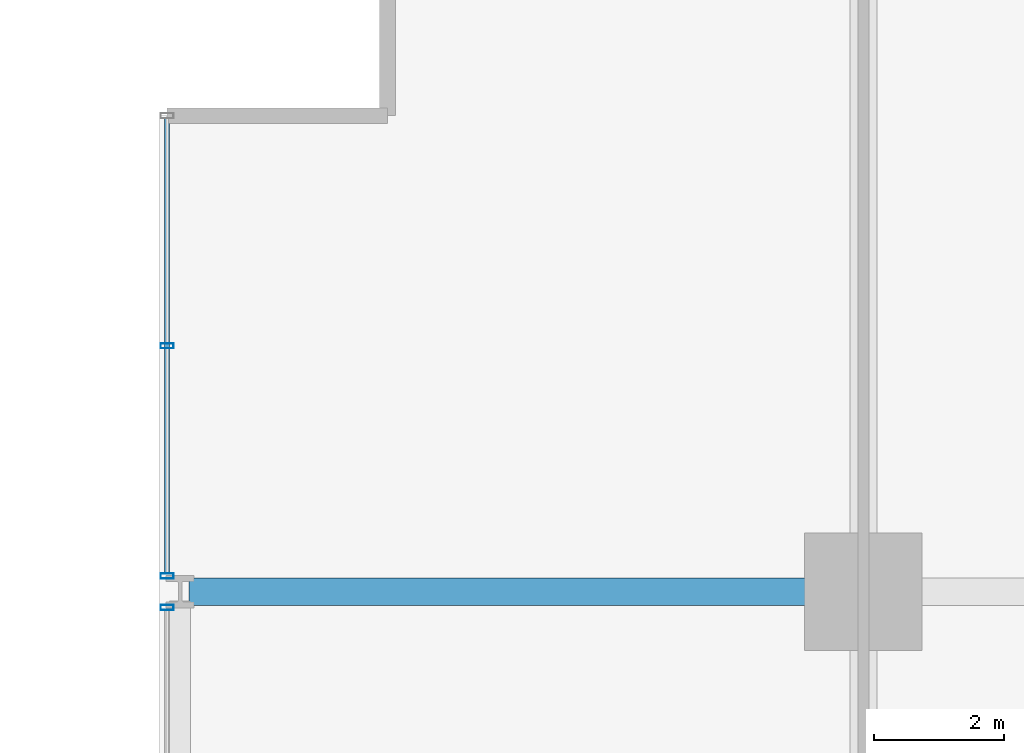
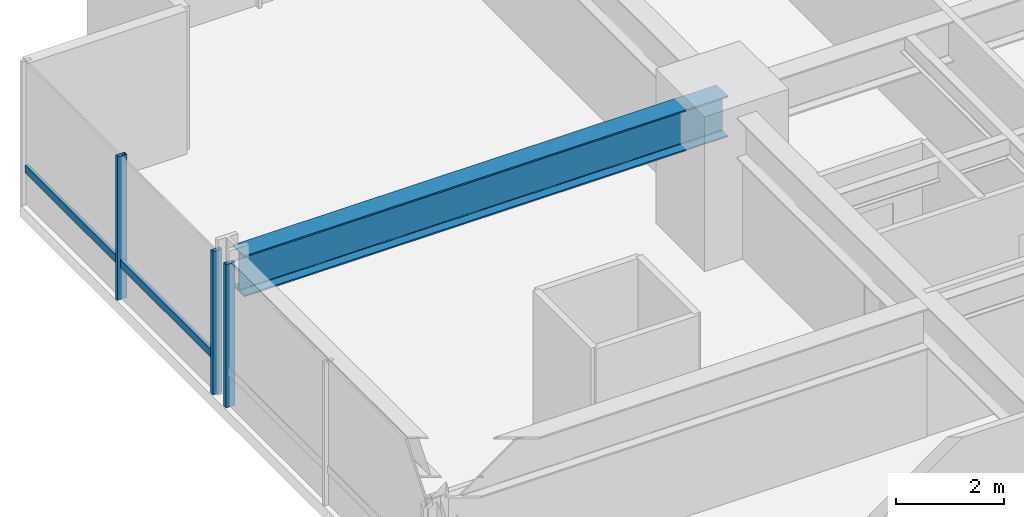
# One storey, part 19 of 39: 4 members, 1 beam, 2 elements without a shape of their own.
"""IFC4 building model written with IfcOpenShell, lengths in metres."""

from ifc_helpers import new_model, si_unit, direction, frame, origin, origin_2d, place, context, subcontext, project, spatial, hollow_rectangle, i_section, extrude, material, layer, layer_set, material_profile, profile_set, type_object, element, aggregate, save


model = new_model("IFC4")

# Units and contexts
model_context = context("Model", 3, precision=1e-05, world=origin(), true_north=direction((0.0, 1.0)))
body_context = subcontext(model_context, "Body", "Model", "MODEL_VIEW")
ifc_project = project(units=[si_unit("LENGTHUNIT", "METRE"), si_unit("AREAUNIT", "SQUARE_METRE"), si_unit("VOLUMEUNIT", "CUBIC_METRE"), si_unit("PLANEANGLEUNIT", "RADIAN"), si_unit("MASSUNIT", "GRAM", prefix="KILO")], contexts=[model_context])

# Site, building, storey
site_placement = place(None, origin())
site = spatial("IfcSite", under=ifc_project, at=site_placement, CompositionType="ELEMENT")
building_placement = place(site_placement, origin())
building = spatial("IfcBuilding", under=site, at=building_placement, Name="Drelvath Grand Hotel", CompositionType="ELEMENT")
storey_placement = place(building_placement, frame((0.0, 0.0, 40.199951171875)))
storey = spatial("IfcBuildingStorey", under=building, at=storey_placement, Name="L08", CompositionType="ELEMENT", Elevation=40.199951171875)

# Curtain wall, member
ifc_material_1 = material(Name="Warm Bronze Anodised Aluminium Frame", Category="aluminium")
ifc_layer = layer(ifc_material_1, 0.199951171875)
ifc_layer_set = layer_set([ifc_layer], Name="Warm Bronze Anodised Aluminium Frame")
curtain_wall_type = type_object("IfcCurtainWallType", Name="Stick Curtain Wall CW-02 Warm Bronze Low-Rise", PredefinedType="NOTDEFINED", material=ifc_layer_set)
curtain_wall_1_placement = place(storey_placement, origin())
curtain_wall_1 = element("IfcCurtainWall", 1, at=curtain_wall_1_placement, inside=storey, type_object=curtain_wall_type, Name="L08 CW-02 Curtain Wall CW02-L08-WN3", PredefinedType="NOTDEFINED")
ifc_material_profile_1 = material_profile(ifc_material_1, hollow_rectangle(XDim=0.074951171875, YDim=0.179931640625, WallThickness=0.0048828125, at=origin_2d()), Name="HSS180X75X5")
ifc_profile_set_1 = profile_set([ifc_material_profile_1], Name="Warm Bronze Anodised Aluminium Frame")
member_type_1 = type_object("IfcMemberType", Name="Curtain Wall Horizontal Transom CW-02 HSS180X75X5", PredefinedType="USERDEFINED", material=ifc_profile_set_1)
member_1_placement = place(storey_placement, frame((-26.8798828125, 43.48095703125, 0.81005859375), z_axis=(0.0, 1.0, 0.0), x_axis=(-1.0, 0.0, 0.0)))
member_1 = element("IfcMember", 2, at=member_1_placement, type_object=member_type_1, Name="CW02-L08-WN3 Sill Transom", ObjectType="TRANSOM", PredefinedType="USERDEFINED", context=body_context, shape_type="SweptSolid", body=[
    extrude(hollow_rectangle(XDim=0.074951171875, YDim=0.179931640625, WallThickness=0.0048828125, at=origin_2d()), origin(), (0.0, 0.0, 1.0), 6.97900390625),
])

curtain_wall_2_placement = place(storey_placement, origin())
curtain_wall_2 = element("IfcCurtainWall", 3, at=curtain_wall_2_placement, inside=storey, type_object=curtain_wall_type, Name="L08 CW-02 Curtain Wall CW02-L08-WN2", PredefinedType="NOTDEFINED")
ifc_material_profile_2 = material_profile(ifc_material_1, hollow_rectangle(XDim=0.080078125, YDim=0.199951171875, WallThickness=0.0048828125, at=origin_2d()), Name="HSS200X80X5")
ifc_profile_set_2 = profile_set([ifc_material_profile_2], Name="Warm Bronze Anodised Aluminium Frame")
member_type_2 = type_object("IfcMemberType", Name="Curtain Wall Vertical Mullion CW-02 HSS200X80X5", PredefinedType="MULLION", material=ifc_profile_set_2)
member_2_placement = place(storey_placement, frame((-26.8798828125, 42.958984375, 0.0), z_axis=(0.0, 0.0, 1.0), x_axis=(0.0, 1.0, 0.0)))
member_2 = element("IfcMember", 4, at=member_2_placement, type_object=member_type_2, Name="CW02-L08-WN2 Mullion 3", PredefinedType="MULLION", context=body_context, shape_type="SweptSolid", body=[
    extrude(hollow_rectangle(XDim=0.080078125, YDim=0.199951171875, WallThickness=0.0048828125, at=origin_2d()), origin(), (0.0, 0.0, 1.0), 3.239990234375),
])
aggregate(curtain_wall_2, [member_2])

# Member
member_3_placement = place(storey_placement, frame((-26.8798828125, 43.44091796875, 0.0), z_axis=(0.0, 0.0, 1.0), x_axis=(0.0, 1.0, 0.0)))
member_3 = element("IfcMember", 5, at=member_3_placement, type_object=member_type_2, Name="CW02-L08-WN3 Mullion 1", PredefinedType="MULLION", context=body_context, shape_type="SweptSolid", body=[
    extrude(hollow_rectangle(XDim=0.080078125, YDim=0.199951171875, WallThickness=0.0048828125, at=origin_2d()), origin(), (0.0, 0.0, 1.0), 3.239990234375),
])

member_4_placement = place(storey_placement, frame((-26.8798828125, 46.970458984375, 0.0), z_axis=(0.0, 0.0, 1.0), x_axis=(0.0, 1.0, 0.0)))
member_4 = element("IfcMember", 6, at=member_4_placement, type_object=member_type_2, Name="CW02-L08-WN3 Mullion 2", PredefinedType="MULLION", context=body_context, shape_type="SweptSolid", body=[
    extrude(hollow_rectangle(XDim=0.080078125, YDim=0.199951171875, WallThickness=0.0048828125, at=origin_2d()), origin(), (0.0, 0.0, 1.0), 3.239990234375),
])

aggregate(curtain_wall_1, [member_3, member_4, member_1])

# Beam
ifc_material_2 = material(Name="Steel ASTM A992 Gr 50", Category="steel")
ifc_material_profile_3 = material_profile(ifc_material_2, i_section(OverallWidth=0.418212890625, OverallDepth=0.926513671875, WebThickness=0.019287109375, FlangeThickness=0.031982421875, FilletRadius=0.028076171875, at=origin_2d()), Name="W36X231")
ifc_profile_set_3 = profile_set([ifc_material_profile_3], Name="Steel ASTM A992 Gr 50")
beam_type = type_object("IfcBeamType", Name="Primary Floor Girder W36X231", PredefinedType="BEAM", material=ifc_profile_set_3)
beam_placement = place(storey_placement, frame((-26.5400390625, 43.199951171875, 2.77685546875), z_axis=(1.0, 0.0, 0.0), x_axis=(0.0, 1.0, 0.0)))
element("IfcBeam", 7, at=beam_placement, inside=storey, type_object=beam_type, Name="L08 West Grid Girder G", PredefinedType="BEAM", context=body_context, shape_type="SweptSolid", body=[
    extrude(i_section(OverallWidth=0.418212890625, OverallDepth=0.926513671875, WebThickness=0.019287109375, FlangeThickness=0.031982421875, FilletRadius=0.028076171875, at=origin_2d()), origin(), (0.0, 0.0, 1.0), 10.340087890625),
])

save(model, "model.ifc")
